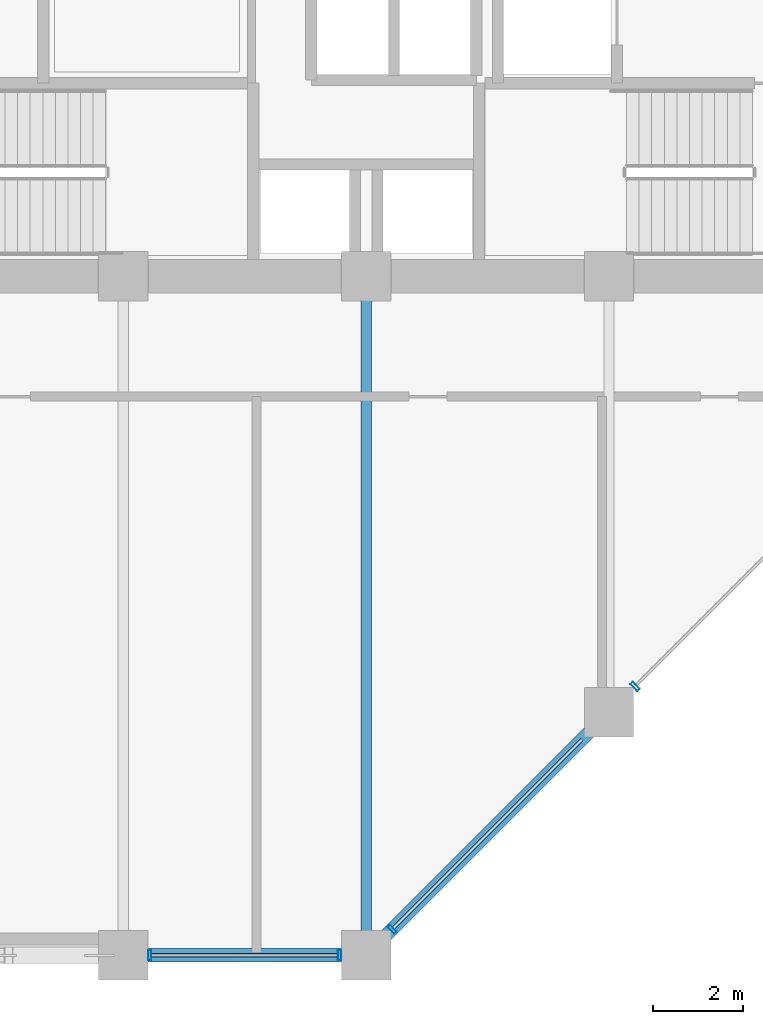
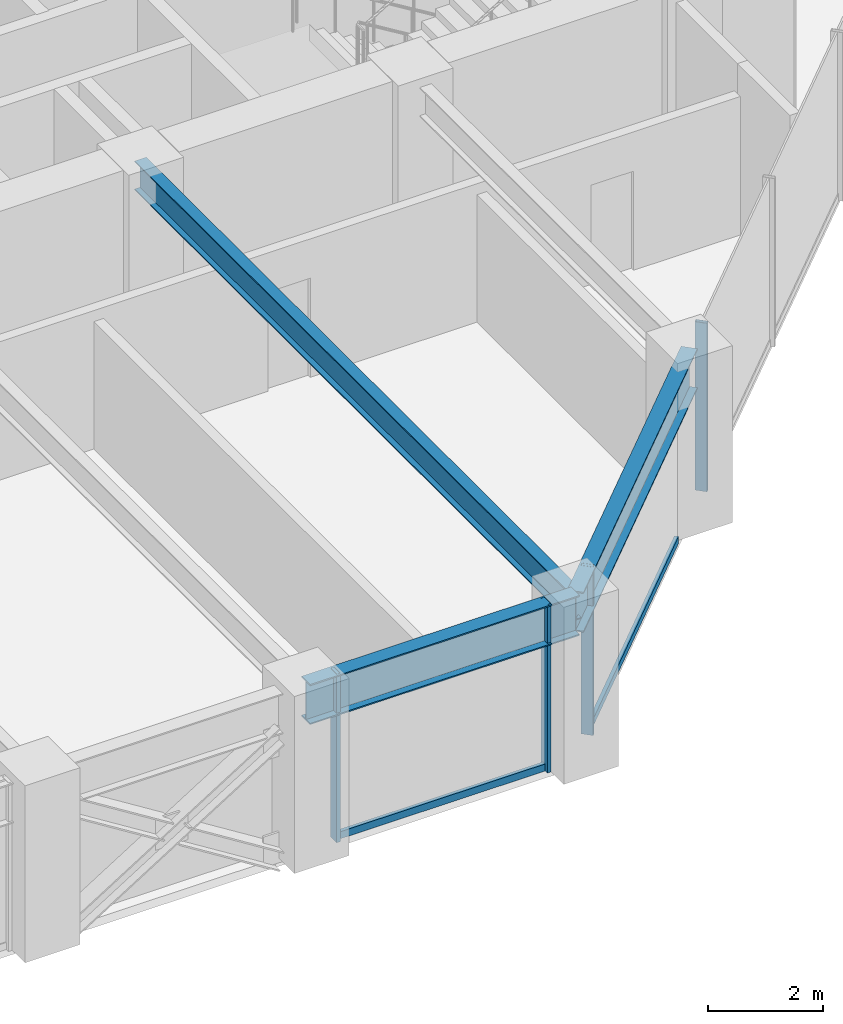
# One storey, part 8 of 29: 6 members, 3 beams, 2 elements without a shape of their own.
"""IFC4 building model written with IfcOpenShell, lengths in metres."""

from ifc_helpers import new_model, si_unit, direction, frame, origin, origin_2d, place, context, subcontext, project, spatial, hollow_rectangle, i_section, extrude, material, layer, layer_set, material_profile, profile_set, type_object, element, aggregate, save


model = new_model("IFC4")

# Units and contexts
model_context = context("Model", 3, precision=1e-05, world=origin(), true_north=direction((0.0, 1.0)))
body_context = subcontext(model_context, "Body", "Model", "MODEL_VIEW")
ifc_project = project(units=[si_unit("LENGTHUNIT", "METRE"), si_unit("AREAUNIT", "SQUARE_METRE"), si_unit("VOLUMEUNIT", "CUBIC_METRE"), si_unit("PLANEANGLEUNIT", "RADIAN"), si_unit("MASSUNIT", "GRAM", prefix="KILO")], contexts=[model_context])

# Site, building, storey
site_placement = place(None, origin())
site = spatial("IfcSite", under=ifc_project, at=site_placement, CompositionType="ELEMENT")
building_placement = place(site_placement, origin())
building = spatial("IfcBuilding", under=site, at=building_placement, Name="Surkhivell Harbour Commons", CompositionType="ELEMENT")
storey_placement = place(building_placement, frame((0.0, 0.0, 87.0)))
storey = spatial("IfcBuildingStorey", under=building, at=storey_placement, Name="L22", CompositionType="ELEMENT", Elevation=87.0)

# Beams
ifc_material_1 = material(Name="Steel S355", Category="steel")
ifc_material_profile_1 = material_profile(ifc_material_1, i_section(OverallWidth=0.22998046875, OverallDepth=0.616943359375, WebThickness=0.01318359375, FlangeThickness=0.022216796875, at=origin_2d()), Name="UB610x229x140")
ifc_profile_set_1 = profile_set([ifc_material_profile_1], Name="Steel S355")
beam_type_1 = type_object("IfcBeamType", Name="BM-GRD-610B", PredefinedType="BEAM", material=ifc_profile_set_1)
beam_1_placement = place(storey_placement, frame((0.0, -25.89990234375, 3.261474609375), z_axis=(0.0, 1.0, 0.0), x_axis=(-1.0, 0.0, 0.0)))
element("IfcBeam", 1, at=beam_1_placement, inside=storey, type_object=beam_type_1, Name="L22 Floor Girder (0.0,-25.9)", PredefinedType="BEAM", context=body_context, shape_type="SweptSolid", body=[
    extrude(i_section(OverallWidth=0.22998046875, OverallDepth=0.616943359375, WebThickness=0.01318359375, FlangeThickness=0.022216796875, at=origin_2d()), origin(), (0.0, 0.0, 1.0), 15.099853515625),
])
ifc_material_2 = material(Name="Steel S460", Category="steel")
ifc_material_profile_2 = material_profile(ifc_material_2, i_section(OverallWidth=0.2939453125, OverallDepth=0.85107421875, WebThickness=0.01611328125, FlangeThickness=0.02685546875, at=origin_2d()), Name="UB838x292x226")
ifc_profile_set_2 = profile_set([ifc_material_profile_2], Name="Steel S460")
beam_type_2 = type_object("IfcBeamType", Name="BM-SPN-838", PredefinedType="SPANDREL", material=ifc_profile_set_2)
beam_2_placement = place(storey_placement, frame((-5.39990234375, -25.89990234375, 3.14453125), z_axis=(1.0, 0.0, 0.0), x_axis=(0.0, 1.0, 0.0)))
element("IfcBeam", 2, at=beam_2_placement, inside=storey, type_object=beam_type_2, Name="L22 Tube Spandrel (-5.4,-25.9)", PredefinedType="SPANDREL", context=body_context, shape_type="SweptSolid", body=[
    extrude(i_section(OverallWidth=0.2939453125, OverallDepth=0.85107421875, WebThickness=0.01611328125, FlangeThickness=0.02685546875, at=origin_2d()), origin(), (0.0, 0.0, 1.0), 5.39990234375),
])
beam_3_placement = place(storey_placement, frame((0.0, -25.89990234375, 3.14453125), z_axis=(0.707106781187, 0.707106781187, 0.0), x_axis=(-0.707106781187, 0.707106781187, 0.0)))
element("IfcBeam", 3, at=beam_3_placement, inside=storey, type_object=beam_type_2, Name="L22 Tube Spandrel (-0.0,-25.9)", PredefinedType="SPANDREL", context=body_context, shape_type="SweptSolid", body=[
    extrude(i_section(OverallWidth=0.2939453125, OverallDepth=0.85107421875, WebThickness=0.01611328125, FlangeThickness=0.02685546875, at=origin_2d()), origin(), (0.0, 0.0, 1.0), 7.63671875),
])

# Curtain wall, members
ifc_material_3 = material(Name="Anodised pale-metal aluminium and insulated glazing", Category="aluminium")
ifc_layer = layer(ifc_material_3, 0.205078125)
ifc_layer_set = layer_set([ifc_layer], Name="Anodised pale-metal aluminium and insulated glazing")
curtain_wall_type = type_object("IfcCurtainWallType", Name="CW-SYS-Z2", PredefinedType="NOTDEFINED", material=ifc_layer_set)
curtain_wall_1_placement = place(storey_placement, origin())
curtain_wall_1 = element("IfcCurtainWall", 4, at=curtain_wall_1_placement, inside=storey, type_object=curtain_wall_type, Name="L22 Curtain Wall CW-L22-E00S2", PredefinedType="NOTDEFINED")
ifc_material_4 = material(Name="Anodised pale-metal aluminium alloy 6063-T6", Category="aluminium")
ifc_material_profile_3 = material_profile(ifc_material_4, hollow_rectangle(XDim=0.074951171875, YDim=0.219970703125, WallThickness=0.00390625, at=origin_2d()), Name="ALU-MULL-75x220")
ifc_profile_set_3 = profile_set([ifc_material_profile_3], Name="Anodised pale-metal aluminium alloy 6063-T6")
member_type_1 = type_object("IfcMemberType", Name="CWM-220", PredefinedType="MULLION", material=ifc_profile_set_3)
member_1_placement = place(storey_placement, frame((-4.810546875, -25.89990234375, 0.0), z_axis=(0.0, 0.0, 1.0), x_axis=(1.0, 0.0, 0.0)))
member_1 = element("IfcMember", 5, at=member_1_placement, type_object=member_type_1, Name="CW-Z2 mullion 1", PredefinedType="MULLION", context=body_context, shape_type="SweptSolid", body=[
    extrude(hollow_rectangle(XDim=0.074951171875, YDim=0.219970703125, WallThickness=0.00390625, at=origin_2d()), origin(), (0.0, 0.0, 1.0), 3.570068359375),
])
member_2_placement = place(storey_placement, frame((-0.589599609375, -25.89990234375, 0.0), z_axis=(0.0, 0.0, 1.0), x_axis=(1.0, 0.0, 0.0)))
member_2 = element("IfcMember", 6, at=member_2_placement, type_object=member_type_1, Name="CW-Z2 mullion 2", PredefinedType="MULLION", context=body_context, shape_type="SweptSolid", body=[
    extrude(hollow_rectangle(XDim=0.074951171875, YDim=0.219970703125, WallThickness=0.00390625, at=origin_2d()), origin(), (0.0, 0.0, 1.0), 3.570068359375),
])

curtain_wall_2_placement = place(storey_placement, origin())
curtain_wall_2 = element("IfcCurtainWall", 7, at=curtain_wall_2_placement, inside=storey, type_object=curtain_wall_type, Name="L22 Curtain Wall CW-L22-E01", PredefinedType="NOTDEFINED")
member_3_placement = place(storey_placement, frame((0.578125, -25.32177734375, 0.0), z_axis=(0.0, 0.0, 1.0), x_axis=(0.707106781187, 0.707106781187, 0.0)))
member_3 = element("IfcMember", 8, at=member_3_placement, type_object=member_type_1, Name="CW-Z2 mullion 1", PredefinedType="MULLION", context=body_context, shape_type="SweptSolid", body=[
    extrude(hollow_rectangle(XDim=0.074951171875, YDim=0.219970703125, WallThickness=0.00390625, at=origin_2d()), origin(), (0.0, 0.0, 1.0), 3.570068359375),
])
member_4_placement = place(storey_placement, frame((5.978271484375, -19.921875, 0.0), z_axis=(0.0, 0.0, 1.0), x_axis=(0.707106781187, 0.707106781187, 0.0)))
member_4 = element("IfcMember", 9, at=member_4_placement, type_object=member_type_1, Name="CW-Z2 mullion 2", PredefinedType="MULLION", context=body_context, shape_type="SweptSolid", body=[
    extrude(hollow_rectangle(XDim=0.074951171875, YDim=0.219970703125, WallThickness=0.00390625, at=origin_2d()), origin(), (0.0, 0.0, 1.0), 3.570068359375),
])

# Member
ifc_material_profile_4 = material_profile(ifc_material_4, hollow_rectangle(XDim=0.074951171875, YDim=0.14990234375, WallThickness=0.00341796875, at=origin_2d()), Name="ALU-TRAN-75x150")
ifc_profile_set_4 = profile_set([ifc_material_profile_4], Name="Anodised pale-metal aluminium alloy 6063-T6")
member_type_2 = type_object("IfcMemberType", Name="CWT-150", PredefinedType="USERDEFINED", material=ifc_profile_set_4)
member_5_placement = place(storey_placement, frame((-4.77294921875, -25.89990234375, 0.074951171875), z_axis=(1.0, 0.0, 0.0), x_axis=(0.0, 1.0, 0.0)))
member_5 = element("IfcMember", 10, at=member_5_placement, type_object=member_type_2, Name="CW-Z2 transom 1.1", ObjectType="TRANSOM", PredefinedType="USERDEFINED", context=body_context, shape_type="SweptSolid", body=[
    extrude(hollow_rectangle(XDim=0.074951171875, YDim=0.14990234375, WallThickness=0.00341796875, at=origin_2d()), origin(), (0.0, 0.0, 1.0), 4.14599609375),
])

aggregate(curtain_wall_1, [member_1, member_2, member_5])

member_6_placement = place(storey_placement, frame((0.604736328125, -25.295166015625, 0.074951171875), z_axis=(0.707106781187, 0.707106781187, 0.0), x_axis=(-0.707106781187, 0.707106781187, 0.0)))
member_6 = element("IfcMember", 11, at=member_6_placement, type_object=member_type_2, Name="CW-Z2 transom 1.1", ObjectType="TRANSOM", PredefinedType="USERDEFINED", context=body_context, shape_type="SweptSolid", body=[
    extrude(hollow_rectangle(XDim=0.074951171875, YDim=0.14990234375, WallThickness=0.00341796875, at=origin_2d()), origin(), (0.0, 0.0, 1.0), 5.92626953125),
])

aggregate(curtain_wall_2, [member_3, member_6, member_4])

save(model, "model.ifc")
